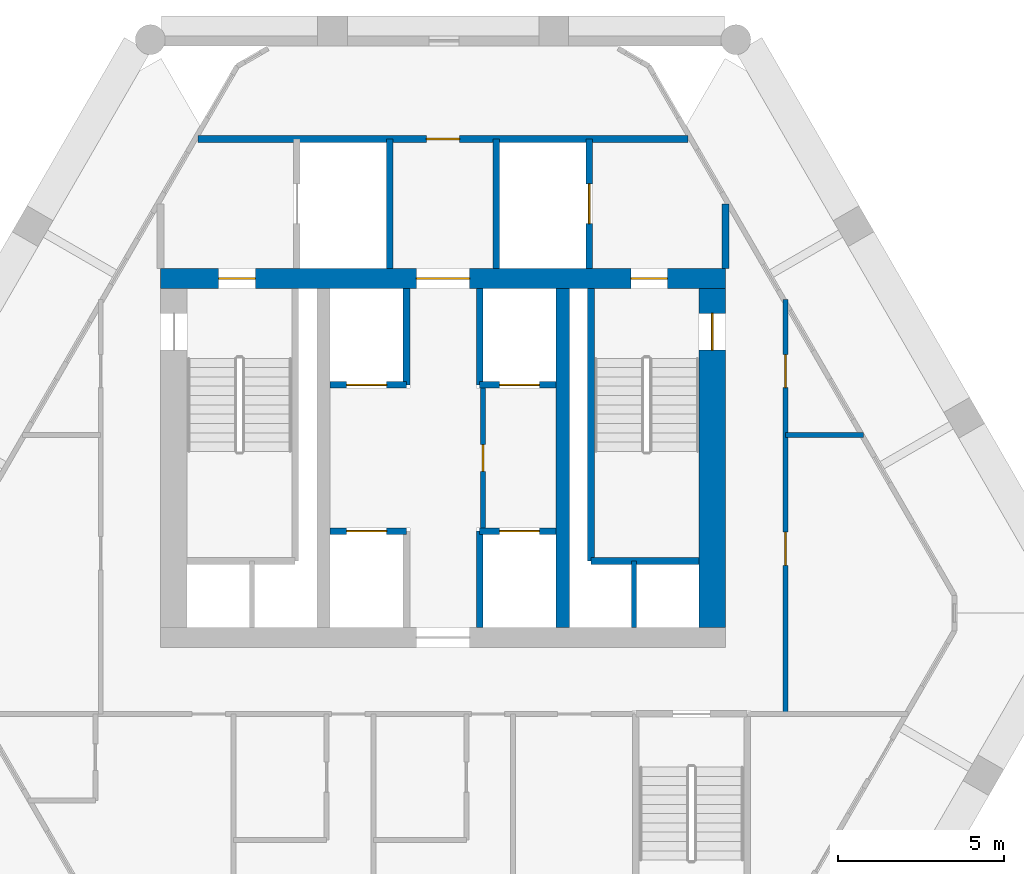
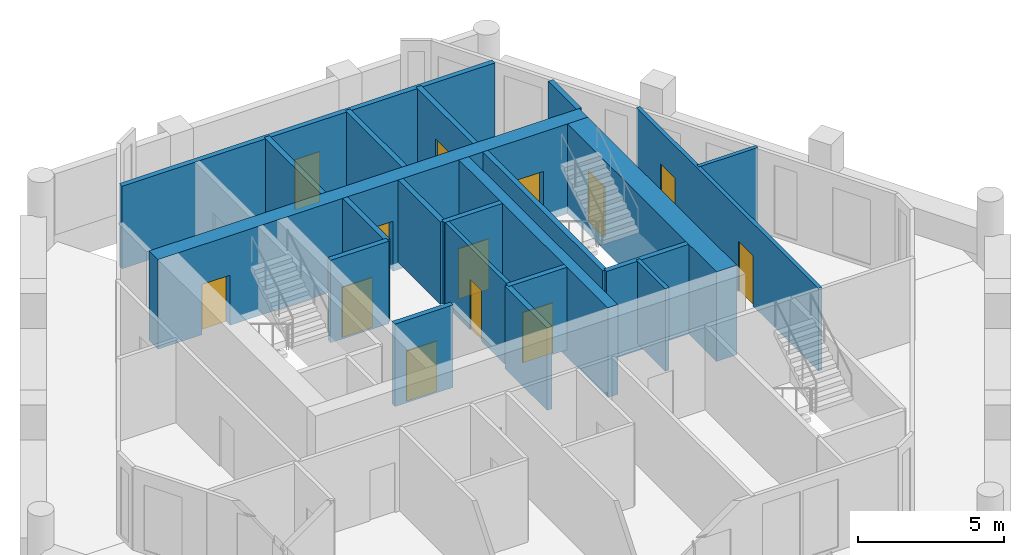
# One storey, part 4 of 6: 21 walls, 13 doors, 13 openings.
"""IFC4 building model written with IfcOpenShell, lengths in metres."""

import ifcopenshell
import ifcopenshell.guid

model = None  # the IFC model being written
_history = None  # IfcOwnerHistory: only IFC2X3 demands one
_inside = {}  # id of a spatial element -> (the spatial element, [elements in it])
_under = {}  # id of a project, library or spatial element -> (it, [spatial elements below it])
_declared = {}  # id of a project -> (the project, [libraries it declares])
_typed = {}  # id of a type object -> (the type object, [elements of that type])
_made_of = {}  # id of a material, layer set ... -> (it, [elements and type objects made of it])


def new_model(schema):
    """Start an empty IFC model of exactly this schema.

    Asked for "IFC4X3", IfcOpenShell would pick the latest addendum, in which some entities
    have other attributes; the version numbers below select the first issue.
    IFC2X3 requires an IfcOwnerHistory on every rooted entity: one is made here for all.
    """
    global model, _history
    if schema == "IFC4X3":
        model = ifcopenshell.file(schema_version=(4, 3, 0, 0))
    else:
        model = ifcopenshell.file(schema=schema)
    _inside.clear()
    _under.clear()
    _declared.clear()
    _typed.clear()
    _made_of.clear()
    _history = None
    if model.schema == "IFC2X3":
        org = make("IfcOrganization", Name="unknown")
        user = make(
            "IfcPersonAndOrganization",
            ThePerson=make("IfcPerson", FamilyName="unknown"),
            TheOrganization=org,
        )
        app = make(
            "IfcApplication",
            ApplicationDeveloper=org,
            Version="unknown",
            ApplicationFullName="unknown",
            ApplicationIdentifier="unknown",
        )
        _history = make(
            "IfcOwnerHistory",
            OwningUser=user,
            OwningApplication=app,
            ChangeAction="ADDED",
            CreationDate=0,
        )
    return model


def make(cls, **values):
    """One entity of the class cls with the attributes given. An attribute that is None is left unset."""
    return model.create_entity(
        cls, **{name: value for name, value in values.items() if value is not None}
    )


def rooted(cls, **values):
    """An entity with a GlobalId (a new one), such as an element, a storey or a relation."""
    return make(cls, GlobalId=ifcopenshell.guid.new(), OwnerHistory=_history, **values)


def si_unit(unit_type, name, prefix=None):
    """IfcSIUnit, for example si_unit("LENGTHUNIT", "METRE", prefix="MILLI")."""
    return make("IfcSIUnit", UnitType=unit_type, Prefix=prefix, Name=name)


def assignment(units):
    """IfcUnitAssignment: the units of a project."""
    return None if units is None else make("IfcUnitAssignment", Units=units)


def point(xyz):
    """IfcCartesianPoint."""
    return None if xyz is None else make("IfcCartesianPoint", Coordinates=xyz)


def direction(xyz):
    """IfcDirection."""
    return None if xyz is None else make("IfcDirection", DirectionRatios=xyz)


def frame(location, z_axis=None, x_axis=None):
    """IfcAxis2Placement3D, a coordinate frame: its origin and axes. An axis left out is left unset."""
    return make(
        "IfcAxis2Placement3D",
        Location=point(location),
        Axis=direction(z_axis),
        RefDirection=direction(x_axis),
    )


def frame_2d(location, x_axis=None):
    """IfcAxis2Placement2D, a coordinate frame in the plane: its origin and x axis."""
    return make(
        "IfcAxis2Placement2D", Location=point(location), RefDirection=direction(x_axis)
    )


def origin():
    """The frame at (0, 0, 0) with its axes left unset."""
    return frame((0.0, 0.0, 0.0))


def place(relative_to, where):
    """IfcLocalPlacement: puts the frame where relative to a parent placement (None: the world)."""
    return make(
        "IfcLocalPlacement", PlacementRelTo=relative_to, RelativePlacement=where
    )


def context(
    kind, dimensions, precision=None, world=None, true_north=None, identifier=None
):
    """IfcGeometricRepresentationContext, for example the 3D "Model" context."""
    return make(
        "IfcGeometricRepresentationContext",
        ContextIdentifier=identifier,
        ContextType=kind,
        CoordinateSpaceDimension=dimensions,
        Precision=precision,
        WorldCoordinateSystem=world,
        TrueNorth=true_north,
    )


def subcontext(parent, identifier, kind, view, scale=None):
    """IfcGeometricRepresentationSubContext, for example "Body" below "Model"."""
    return make(
        "IfcGeometricRepresentationSubContext",
        ContextIdentifier=identifier,
        ContextType=kind,
        ParentContext=parent,
        TargetScale=scale,
        TargetView=view,
    )


def project(units=None, contexts=None):
    """IfcProject with its units and contexts."""
    return rooted(
        "IfcProject",
        Name="project",
        RepresentationContexts=contexts,
        UnitsInContext=assignment(units),
    )


def spatial(cls, under=None, at=None, **own):
    """A site, building, storey or space (cls), placed at a placement, below another one or the project."""
    s = rooted(cls, ObjectPlacement=at, **own)
    if under is not None:
        _under.setdefault(under.id(), (under, []))[1].append(s)
    return s


def profile(cls, at=None, kind="AREA", **sizes):
    """A parametric profile (cls). Its sizes go by their IFC names, for example OverallWidth=200.0."""
    return make(cls, ProfileType=kind, Position=at, **sizes)


def rectangle(**sizes):
    """IfcRectangleProfileDef."""
    return profile("IfcRectangleProfileDef", **sizes)


def extrude(swept, where, along, depth):
    """IfcExtrudedAreaSolid: the profile swept, set in the frame where, extruded along a direction by depth."""
    return make(
        "IfcExtrudedAreaSolid",
        SweptArea=swept,
        Position=where,
        ExtrudedDirection=direction(along),
        Depth=depth,
    )


def shape(context_of_items, identifier, shape_type, items):
    """IfcShapeRepresentation: the items that make up one representation, for example the "Body"."""
    return make(
        "IfcShapeRepresentation",
        ContextOfItems=context_of_items,
        RepresentationIdentifier=identifier,
        RepresentationType=shape_type,
        Items=items,
    )


def material(Name=None, Category=None):
    """IfcMaterial."""
    return make("IfcMaterial", Name=Name, Category=Category)


def layer(
    of_material, thickness, ventilated=None, Name=None, Category=None, Priority=None
):
    """IfcMaterialLayer: one layer of a wall or slab, of a material (None: an air gap)."""
    return make(
        "IfcMaterialLayer",
        Material=of_material,
        LayerThickness=thickness,
        IsVentilated=ventilated,
        Name=Name,
        Category=Category,
        Priority=Priority,
    )


def layer_set(layers, Name=None):
    """IfcMaterialLayerSet."""
    return make("IfcMaterialLayerSet", MaterialLayers=layers, LayerSetName=Name)


def made_of(thing, what):
    """Note that an element or type object is made of a material, layer set ...; save() writes the relation."""
    if what is not None:
        _made_of.setdefault(what.id(), (what, []))[1].append(thing)
    return thing


def type_object(cls, material=None, **own):
    """A type object (cls), such as IfcWallType, which elements share."""
    return made_of(rooted(cls, **own), material)


def element(
    cls,
    number,
    at=None,
    inside=None,
    cuts=None,
    type_object=None,
    material=None,
    context=None,
    identifier="Body",
    shape_type=None,
    held_by="IfcProductDefinitionShape",
    body=None,
    shapes=None,
    **own,
):
    """One element of the class cls, such as IfcWall. Its Tag is "e" and its number.

    at: its placement. inside: the storey or other place that contains it. cuts: it is an
    opening in that element (IfcRelVoidsElement). A single representation is given by context,
    identifier, shape_type and body (its items); several are given by shapes. held_by: the class
    of the entity that holds the representations. save() writes the other relations.
    """
    e = rooted(cls, Tag="e%d" % number, ObjectPlacement=at, **own)
    if body is not None:
        shapes = [shape(context, identifier, shape_type, body)]
    if shapes is not None:
        e.Representation = make(held_by, Representations=shapes)
    if inside is not None:
        _inside.setdefault(inside.id(), (inside, []))[1].append(e)
    if cuts is not None:
        rooted(
            "IfcRelVoidsElement", RelatingBuildingElement=cuts, RelatedOpeningElement=e
        )
    if type_object is not None:
        _typed.setdefault(type_object.id(), (type_object, []))[1].append(e)
    return made_of(e, material)


def fill(opening, filler):
    """IfcRelFillsElement: the door or window that sits in an opening."""
    return rooted(
        "IfcRelFillsElement",
        RelatingOpeningElement=opening,
        RelatedBuildingElement=filler,
    )


def aggregate(whole, parts):
    """IfcRelAggregates: a whole, such as a stair, and the parts it consists of."""
    return rooted("IfcRelAggregates", RelatingObject=whole, RelatedObjects=parts)


def save(model, path):
    """Write the relations noted so far, then the file.

    IfcRelAggregates (storeys below a building ...), IfcRelContainedInSpatialStructure (elements
    in a storey), IfcRelDefinesByType, IfcRelAssociatesMaterial and IfcRelDeclares: one each for
    every whole, place, type object, material and project.
    """
    for whole, parts in _under.values():
        aggregate(whole, parts)
    for where, things in _inside.values():
        rooted(
            "IfcRelContainedInSpatialStructure",
            RelatedElements=things,
            RelatingStructure=where,
        )
    for kind, things in _typed.values():
        rooted("IfcRelDefinesByType", RelatedObjects=things, RelatingType=kind)
    for what, things in _made_of.values():
        rooted("IfcRelAssociatesMaterial", RelatedObjects=things, RelatingMaterial=what)
    for by, libraries in _declared.values():
        rooted("IfcRelDeclares", RelatingContext=by, RelatedDefinitions=libraries)
    model.write(path)


model = new_model("IFC4")

# Units and contexts
model_context = context("Model", 3, precision=1e-05, world=origin(), true_north=direction((0.0, 1.0)))
body_context = subcontext(model_context, "Body", "Model", "MODEL_VIEW")
ifc_project = project(units=[si_unit("LENGTHUNIT", "METRE"), si_unit("AREAUNIT", "SQUARE_METRE"), si_unit("VOLUMEUNIT", "CUBIC_METRE"), si_unit("PLANEANGLEUNIT", "RADIAN"), si_unit("MASSUNIT", "GRAM", prefix="KILO")], contexts=[model_context])

# Site, building, storey
site_placement = place(None, origin())
site = spatial("IfcSite", under=ifc_project, at=site_placement, CompositionType="ELEMENT")
building_placement = place(site_placement, origin())
building = spatial("IfcBuilding", under=site, at=building_placement, Name="Ostrander Bayou Hotel Tower", CompositionType="ELEMENT")
storey_placement = place(building_placement, frame((0.0, 0.0, 248.75)))
storey = spatial("IfcBuildingStorey", under=building, at=storey_placement, Name="L61", CompositionType="ELEMENT", Elevation=248.75)

# Wall, openings, doors
ifc_material_1 = material(Name="Concrete f'c 60 MPa", Category="concrete")
ifc_layer_1 = layer(ifc_material_1, 0.60009765625)
ifc_layer_set_1 = layer_set([ifc_layer_1], Name="CW10 core wall 600 mm f'c 60 MPa")
wall_type_1 = type_object("IfcWallType", Name="CW10 core wall 600 mm f'c 60 MPa", PredefinedType="SHEAR", material=ifc_layer_set_1)
wall_1_placement = place(storey_placement, frame((-8.5, 9.39990234375, -0.300048828125), z_axis=(0.0, 0.0, 1.0), x_axis=(1.0, 0.0, 0.0)))
wall_1 = element("IfcWall", 1, at=wall_1_placement, inside=storey, type_object=wall_type_1, Name="CW10 L61 N", PredefinedType="SHEAR", context=body_context, shape_type="SweptSolid", body=[
    extrude(rectangle(XDim=17.0, YDim=0.60009765625, at=frame_2d((8.5, 0.0))), origin(), (0.0, 0.0, 1.0), 3.75),
])
opening_1_placement = place(wall_1_placement, frame((7.699951171875, 0.0, 0.0)))
opening_1 = element("IfcOpeningElement", 2, at=opening_1_placement, cuts=wall_1, Name="Opening T60-006", PredefinedType="OPENING", context=body_context, shape_type="SweptSolid", body=[
    extrude(rectangle(XDim=1.60009765625, YDim=2.10009765625, at=frame_2d((0.800048828125, 1.050048828125))), frame((0.0, 0.300048828125, 0.0), z_axis=(0.0, -1.0, 0.0), x_axis=(1.0, 0.0, 0.0)), (0.0, 0.0, 1.0), 0.60009765625),
])
opening_2_placement = place(wall_1_placement, frame((1.75, 0.0, 0.0)))
opening_2 = element("IfcOpeningElement", 3, at=opening_2_placement, cuts=wall_1, Name="Opening T60-007", PredefinedType="OPENING", context=body_context, shape_type="SweptSolid", body=[
    extrude(rectangle(XDim=1.10009765625, YDim=2.10009765625, at=frame_2d((0.550048828125, 1.050048828125))), frame((0.0, 0.300048828125, 0.0), z_axis=(0.0, -1.0, 0.0), x_axis=(1.0, 0.0, 0.0)), (0.0, 0.0, 1.0), 0.60009765625),
])
opening_3_placement = place(wall_1_placement, frame((14.14990234375, 0.0, 0.0)))
opening_3 = element("IfcOpeningElement", 4, at=opening_3_placement, cuts=wall_1, Name="Opening T60-009", PredefinedType="OPENING", context=body_context, shape_type="SweptSolid", body=[
    extrude(rectangle(XDim=1.10009765625, YDim=2.10009765625, at=frame_2d((0.550048828125, 1.050048828125))), frame((0.0, 0.300048828125, 0.0), z_axis=(0.0, -1.0, 0.0), x_axis=(1.0, 0.0, 0.0)), (0.0, 0.0, 1.0), 0.60009765625),
])
ifc_material_2 = material(Name="Timber door leaf", Category="wood")
door_type_1 = type_object("IfcDoorType", Name="D13 double door 1600 x 2100 mm, 1 hour", OperationType="SINGLE_SWING_LEFT", PredefinedType="DOOR", material=ifc_material_2)
door_1_placement = place(opening_1_placement, origin())
door_1 = element("IfcDoor", 5, at=door_1_placement, inside=storey, type_object=door_type_1, Name="dr:L61:006", OperationType="DOUBLE_DOOR_SINGLE_SWING", OverallHeight=2.10009765625, OverallWidth=1.60009765625, PredefinedType="DOOR", context=body_context, shape_type="SweptSolid", body=[
    extrude(rectangle(XDim=1.60009765625, YDim=2.10009765625, at=frame_2d((0.800048828125, 1.050048828125))), frame((0.0, 0.02490234375, 0.0), z_axis=(0.0, -1.0, 0.0), x_axis=(1.0, 0.0, 0.0)), (0.0, 0.0, 1.0), 0.050048828125),
])
fill(opening_1, door_1)
ifc_material_3 = material(Name="Timber door leaf", Category="wood")
door_type_2 = type_object("IfcDoorType", Name="D5 stair door 1100 x 2100 mm, 90 minute", OperationType="SINGLE_SWING_LEFT", PredefinedType="DOOR", material=ifc_material_3)
door_2_placement = place(opening_2_placement, origin())
door_2 = element("IfcDoor", 6, at=door_2_placement, inside=storey, type_object=door_type_2, Name="dr:L61:007", OperationType="SINGLE_SWING_LEFT", OverallHeight=2.10009765625, OverallWidth=1.10009765625, PredefinedType="DOOR", context=body_context, shape_type="SweptSolid", body=[
    extrude(rectangle(XDim=1.10009765625, YDim=2.10009765625, at=frame_2d((0.550048828125, 1.050048828125))), frame((0.0, 0.02490234375, 0.0), z_axis=(0.0, -1.0, 0.0), x_axis=(1.0, 0.0, 0.0)), (0.0, 0.0, 1.0), 0.050048828125),
])
fill(opening_2, door_2)
door_3_placement = place(opening_3_placement, origin())
door_3 = element("IfcDoor", 7, at=door_3_placement, inside=storey, type_object=door_type_2, Name="dr:L61:009", OperationType="SINGLE_SWING_RIGHT", OverallHeight=2.10009765625, OverallWidth=1.10009765625, PredefinedType="DOOR", context=body_context, shape_type="SweptSolid", body=[
    extrude(rectangle(XDim=1.10009765625, YDim=2.10009765625, at=frame_2d((0.550048828125, 1.050048828125))), frame((0.0, 0.02490234375, 0.0), z_axis=(0.0, -1.0, 0.0), x_axis=(1.0, 0.0, 0.0)), (0.0, 0.0, 1.0), 0.050048828125),
])
fill(opening_3, door_3)

# Wall, opening, door
ifc_material_4 = material(Name="Concrete f'c 60 MPa", Category="concrete")
ifc_layer_2 = layer(ifc_material_4, 0.800048828125)
ifc_layer_set_2 = layer_set([ifc_layer_2], Name="CW11 core spine wall 800 mm f'c 60 MPa")
wall_type_2 = type_object("IfcWallType", Name="CW11 core spine wall 800 mm f'c 60 MPa", PredefinedType="SHEAR", material=ifc_layer_set_2)
wall_2_placement = place(storey_placement, frame((8.10009765625, -1.10009765625, -0.300048828125), z_axis=(0.0, 0.0, 1.0), x_axis=(0.0, 1.0, 0.0)))
wall_2 = element("IfcWall", 8, at=wall_2_placement, inside=storey, type_object=wall_type_2, Name="CW11 L61 E", PredefinedType="SHEAR", context=body_context, shape_type="SweptSolid", body=[
    extrude(rectangle(XDim=10.2001953125, YDim=0.800048828125, at=frame_2d((5.10009765625, 0.0))), origin(), (0.0, 0.0, 1.0), 3.75),
])
opening_4_placement = place(wall_2_placement, frame((8.35009765625, 0.0, 0.0)))
opening_4 = element("IfcOpeningElement", 9, at=opening_4_placement, cuts=wall_2, Name="Opening T60-010", PredefinedType="OPENING", context=body_context, shape_type="SweptSolid", body=[
    extrude(rectangle(XDim=1.10009765625, YDim=2.10009765625, at=frame_2d((0.550048828125, 1.050048828125))), frame((0.0, 0.39990234375, 0.0), z_axis=(0.0, -1.0, 0.0), x_axis=(1.0, 0.0, 0.0)), (0.0, 0.0, 1.0), 0.800048828125),
])
door_4_placement = place(opening_4_placement, origin())
door_4 = element("IfcDoor", 10, at=door_4_placement, inside=storey, type_object=door_type_2, Name="dr:L61:010", OperationType="SINGLE_SWING_LEFT", OverallHeight=2.10009765625, OverallWidth=1.10009765625, PredefinedType="DOOR", context=body_context, shape_type="SweptSolid", body=[
    extrude(rectangle(XDim=1.10009765625, YDim=2.10009765625, at=frame_2d((0.550048828125, 1.050048828125))), frame((0.0, 0.02490234375, 0.0), z_axis=(0.0, -1.0, 0.0), x_axis=(1.0, 0.0, 0.0)), (0.0, 0.0, 1.0), 0.050048828125),
])
fill(opening_4, door_4)

# Wall
ifc_material_5 = material(Name="Concrete f'c 60 MPa", Category="concrete")
ifc_layer_3 = layer(ifc_material_5, 0.39990234375)
ifc_layer_set_3 = layer_set([ifc_layer_3], Name="CW12 core bank wall 400 mm f'c 60 MPa")
wall_type_3 = type_object("IfcWallType", Name="CW12 core bank wall 400 mm f'c 60 MPa", PredefinedType="SHEAR", material=ifc_layer_set_3)
wall_3_placement = place(storey_placement, frame((3.60009765625, -1.10009765625, -0.300048828125), z_axis=(0.0, 0.0, 1.0), x_axis=(0.0, 1.0, 0.0)))
element("IfcWall", 11, at=wall_3_placement, inside=storey, type_object=wall_type_3, Name="CW12 L61 CE", PredefinedType="SHEAR", context=body_context, shape_type="SweptSolid", body=[
    extrude(rectangle(XDim=10.2001953125, YDim=0.39990234375, at=frame_2d((5.10009765625, 0.0))), origin(), (0.0, 0.0, 1.0), 3.75),
])

# Wall, opening, door
ifc_material_6 = material(Name="Masonry block", Category="masonry")
ifc_layer_4 = layer(ifc_material_6, 0.199951171875)
ifc_layer_set_4 = layer_set([ifc_layer_4], Name="PT5 stair enclosure wall 200 mm masonry, 2 hour")
wall_type_4 = type_object("IfcWallType", Name="PT5 stair enclosure wall 200 mm masonry, 2 hour", PredefinedType="PARTITIONING", material=ifc_layer_set_4)
wall_4_placement = place(storey_placement, frame((-7.372314453125, 13.60009765625, 0.0), z_axis=(0.0, 0.0, 1.0), x_axis=(1.0, 0.0, 0.0)))
wall_4 = element("IfcWall", 12, at=wall_4_placement, inside=storey, type_object=wall_type_4, Name="cs:L61:020", PredefinedType="PARTITIONING", context=body_context, shape_type="SweptSolid", body=[
    extrude(rectangle(XDim=14.74462890625, YDim=0.199951171875, at=frame_2d((7.372314453125, 0.0))), origin(), (0.0, 0.0, 1.0), 3.449951171875),
])
opening_5_placement = place(wall_4_placement, frame((6.872314453125, 0.0, 0.0)))
opening_5 = element("IfcOpeningElement", 13, at=opening_5_placement, cuts=wall_4, Name="Opening T60-014", PredefinedType="OPENING", context=body_context, shape_type="SweptSolid", body=[
    extrude(rectangle(XDim=1.0, YDim=2.10009765625, at=frame_2d((0.5, 1.050048828125))), frame((0.0, 0.10009765625, 0.0), z_axis=(0.0, -1.0, 0.0), x_axis=(1.0, 0.0, 0.0)), (0.0, 0.0, 1.0), 0.199951171875),
])
ifc_material_7 = material(Name="Timber door leaf", Category="wood")
door_type_3 = type_object("IfcDoorType", Name="D9 service door 1000 x 2100 mm, 30 minute", OperationType="SINGLE_SWING_LEFT", PredefinedType="DOOR", material=ifc_material_7)
door_5_placement = place(opening_5_placement, origin())
door_5 = element("IfcDoor", 14, at=door_5_placement, inside=storey, type_object=door_type_3, Name="dr:L61:014", OperationType="SINGLE_SWING_LEFT", OverallHeight=2.10009765625, OverallWidth=1.0, PredefinedType="DOOR", context=body_context, shape_type="SweptSolid", body=[
    extrude(rectangle(XDim=1.0, YDim=2.10009765625, at=frame_2d((0.5, 1.050048828125))), frame((0.0, 0.02490234375, 0.0), z_axis=(0.0, -1.0, 0.0), x_axis=(1.0, 0.0, 0.0)), (0.0, 0.0, 1.0), 0.050048828125),
])
fill(opening_5, door_5)

# Wall
wall_5_placement = place(storey_placement, frame((8.5, 9.699951171875, 0.0), z_axis=(0.0, 0.0, 1.0), x_axis=(0.0, 1.0, 0.0)))
element("IfcWall", 15, at=wall_5_placement, inside=storey, type_object=wall_type_4, Name="cs:L61:022", PredefinedType="PARTITIONING", context=body_context, shape_type="SweptSolid", body=[
    extrude(rectangle(XDim=1.946533203125, YDim=0.199951171875, at=frame_2d((0.97314453125, 0.0))), origin(), (0.0, 0.0, 1.0), 3.449951171875),
])

# Wall, opening, door
wall_6_placement = place(storey_placement, frame((4.39990234375, 9.699951171875, 0.0), z_axis=(0.0, 0.0, 1.0), x_axis=(0.0, 1.0, 0.0)))
wall_6 = element("IfcWall", 16, at=wall_6_placement, inside=storey, type_object=wall_type_4, Name="cs:L61:024", PredefinedType="PARTITIONING", context=body_context, shape_type="SweptSolid", body=[
    extrude(rectangle(XDim=3.900146484375, YDim=0.199951171875, at=frame_2d((1.9501953125, 0.0))), origin(), (0.0, 0.0, 1.0), 3.449951171875),
])
opening_6_placement = place(wall_6_placement, frame((1.35009765625, 0.0, 0.0)))
opening_6 = element("IfcOpeningElement", 17, at=opening_6_placement, cuts=wall_6, Name="Opening T60-013", PredefinedType="OPENING", context=body_context, shape_type="SweptSolid", body=[
    extrude(rectangle(XDim=1.199951171875, YDim=2.10009765625, at=frame_2d((0.60009765625, 1.050048828125))), frame((0.0, 0.10009765625, 0.0), z_axis=(0.0, -1.0, 0.0), x_axis=(1.0, 0.0, 0.0)), (0.0, 0.0, 1.0), 0.199951171875),
])
ifc_material_8 = material(Name="Stainless steel sliding door", Category="steel")
door_type_4 = type_object("IfcDoorType", Name="LD1 lift landing door 1200 x 2100 mm", OperationType="SINGLE_SWING_LEFT", PredefinedType="DOOR", material=ifc_material_8)
door_6_placement = place(opening_6_placement, origin())
door_6 = element("IfcDoor", 18, at=door_6_placement, inside=storey, type_object=door_type_4, Name="dr:L61:013", OperationType="SLIDING_TO_LEFT", OverallHeight=2.10009765625, OverallWidth=1.199951171875, PredefinedType="DOOR", context=body_context, shape_type="SweptSolid", body=[
    extrude(rectangle(XDim=1.199951171875, YDim=2.10009765625, at=frame_2d((0.60009765625, 1.050048828125))), frame((0.0, 0.02490234375, 0.0), z_axis=(0.0, -1.0, 0.0), x_axis=(1.0, 0.0, 0.0)), (0.0, 0.0, 1.0), 0.050048828125),
])
fill(opening_6, door_6)

ifc_material_9 = material(Name="Masonry block", Category="masonry")
ifc_layer_5 = layer(ifc_material_9, 0.199951171875)
ifc_layer_set_5 = layer_set([ifc_layer_5], Name="PT6 lift shaft wall 200 mm masonry, 2 hour")
wall_type_5 = type_object("IfcWallType", Name="PT6 lift shaft wall 200 mm masonry, 2 hour", PredefinedType="PARTITIONING", material=ifc_layer_set_5)
wall_7_placement = place(storey_placement, frame((-3.39990234375, 1.800048828125, 0.0), z_axis=(0.0, 0.0, 1.0), x_axis=(1.0, 0.0, 0.0)))
wall_7 = element("IfcWall", 19, at=wall_7_placement, inside=storey, type_object=wall_type_5, Name="cs:L61:001", PredefinedType="PARTITIONING", context=body_context, shape_type="SweptSolid", body=[
    extrude(rectangle(XDim=2.2998046875, YDim=0.199951171875, at=frame_2d((1.14990234375, 0.0))), origin(), (0.0, 0.0, 1.0), 3.449951171875),
])
opening_7_placement = place(wall_7_placement, frame((0.5, 0.0, 0.0)))
opening_7 = element("IfcOpeningElement", 20, at=opening_7_placement, cuts=wall_7, Name="Opening T60-001", PredefinedType="OPENING", context=body_context, shape_type="SweptSolid", body=[
    extrude(rectangle(XDim=1.199951171875, YDim=2.10009765625, at=frame_2d((0.60009765625, 1.050048828125))), frame((0.0, 0.10009765625, 0.0), z_axis=(0.0, -1.0, 0.0), x_axis=(1.0, 0.0, 0.0)), (0.0, 0.0, 1.0), 0.199951171875),
])
door_7_placement = place(opening_7_placement, origin())
door_7 = element("IfcDoor", 21, at=door_7_placement, inside=storey, type_object=door_type_4, Name="dr:L61:001", OperationType="SLIDING_TO_LEFT", OverallHeight=2.10009765625, OverallWidth=1.199951171875, PredefinedType="DOOR", context=body_context, shape_type="SweptSolid", body=[
    extrude(rectangle(XDim=1.199951171875, YDim=2.10009765625, at=frame_2d((0.60009765625, 1.050048828125))), frame((0.0, 0.02490234375, 0.0), z_axis=(0.0, -1.0, 0.0), x_axis=(1.0, 0.0, 0.0)), (0.0, 0.0, 1.0), 0.050048828125),
])
fill(opening_7, door_7)

wall_8_placement = place(storey_placement, frame((-3.39990234375, 6.199951171875, 0.0), z_axis=(0.0, 0.0, 1.0), x_axis=(1.0, 0.0, 0.0)))
wall_8 = element("IfcWall", 22, at=wall_8_placement, inside=storey, type_object=wall_type_5, Name="cs:L61:002", PredefinedType="PARTITIONING", context=body_context, shape_type="SweptSolid", body=[
    extrude(rectangle(XDim=2.2998046875, YDim=0.199951171875, at=frame_2d((1.14990234375, 0.0))), origin(), (0.0, 0.0, 1.0), 3.449951171875),
])
opening_8_placement = place(wall_8_placement, frame((0.5, 0.0, 0.0)))
opening_8 = element("IfcOpeningElement", 23, at=opening_8_placement, cuts=wall_8, Name="Opening T60-003", PredefinedType="OPENING", context=body_context, shape_type="SweptSolid", body=[
    extrude(rectangle(XDim=1.199951171875, YDim=2.10009765625, at=frame_2d((0.60009765625, 1.050048828125))), frame((0.0, 0.10009765625, 0.0), z_axis=(0.0, -1.0, 0.0), x_axis=(1.0, 0.0, 0.0)), (0.0, 0.0, 1.0), 0.199951171875),
])
door_8_placement = place(opening_8_placement, origin())
door_8 = element("IfcDoor", 24, at=door_8_placement, inside=storey, type_object=door_type_4, Name="dr:L61:003", OperationType="SLIDING_TO_LEFT", OverallHeight=2.10009765625, OverallWidth=1.199951171875, PredefinedType="DOOR", context=body_context, shape_type="SweptSolid", body=[
    extrude(rectangle(XDim=1.199951171875, YDim=2.10009765625, at=frame_2d((0.60009765625, 1.050048828125))), frame((0.0, 0.02490234375, 0.0), z_axis=(0.0, -1.0, 0.0), x_axis=(1.0, 0.0, 0.0)), (0.0, 0.0, 1.0), 0.050048828125),
])
fill(opening_8, door_8)

wall_9_placement = place(storey_placement, frame((1.10009765625, 1.800048828125, 0.0), z_axis=(0.0, 0.0, 1.0), x_axis=(1.0, 0.0, 0.0)))
wall_9 = element("IfcWall", 25, at=wall_9_placement, inside=storey, type_object=wall_type_5, Name="cs:L61:003", PredefinedType="PARTITIONING", context=body_context, shape_type="SweptSolid", body=[
    extrude(rectangle(XDim=2.2998046875, YDim=0.199951171875, at=frame_2d((1.14990234375, 0.0))), origin(), (0.0, 0.0, 1.0), 3.449951171875),
])
opening_9_placement = place(wall_9_placement, frame((0.60009765625, 0.0, 0.0)))
opening_9 = element("IfcOpeningElement", 26, at=opening_9_placement, cuts=wall_9, Name="Opening T60-002", PredefinedType="OPENING", context=body_context, shape_type="SweptSolid", body=[
    extrude(rectangle(XDim=1.199951171875, YDim=2.10009765625, at=frame_2d((0.60009765625, 1.050048828125))), frame((0.0, 0.10009765625, 0.0), z_axis=(0.0, -1.0, 0.0), x_axis=(1.0, 0.0, 0.0)), (0.0, 0.0, 1.0), 0.199951171875),
])
door_9_placement = place(opening_9_placement, origin())
door_9 = element("IfcDoor", 27, at=door_9_placement, inside=storey, type_object=door_type_4, Name="dr:L61:002", OperationType="SLIDING_TO_LEFT", OverallHeight=2.10009765625, OverallWidth=1.199951171875, PredefinedType="DOOR", context=body_context, shape_type="SweptSolid", body=[
    extrude(rectangle(XDim=1.199951171875, YDim=2.10009765625, at=frame_2d((0.60009765625, 1.050048828125))), frame((0.0, 0.02490234375, 0.0), z_axis=(0.0, -1.0, 0.0), x_axis=(1.0, 0.0, 0.0)), (0.0, 0.0, 1.0), 0.050048828125),
])
fill(opening_9, door_9)

wall_10_placement = place(storey_placement, frame((1.10009765625, 6.199951171875, 0.0), z_axis=(0.0, 0.0, 1.0), x_axis=(1.0, 0.0, 0.0)))
wall_10 = element("IfcWall", 28, at=wall_10_placement, inside=storey, type_object=wall_type_5, Name="cs:L61:004", PredefinedType="PARTITIONING", context=body_context, shape_type="SweptSolid", body=[
    extrude(rectangle(XDim=2.2998046875, YDim=0.199951171875, at=frame_2d((1.14990234375, 0.0))), origin(), (0.0, 0.0, 1.0), 3.449951171875),
])
opening_10_placement = place(wall_10_placement, frame((0.60009765625, 0.0, 0.0)))
opening_10 = element("IfcOpeningElement", 29, at=opening_10_placement, cuts=wall_10, Name="Opening T60-004", PredefinedType="OPENING", context=body_context, shape_type="SweptSolid", body=[
    extrude(rectangle(XDim=1.199951171875, YDim=2.10009765625, at=frame_2d((0.60009765625, 1.050048828125))), frame((0.0, 0.10009765625, 0.0), z_axis=(0.0, -1.0, 0.0), x_axis=(1.0, 0.0, 0.0)), (0.0, 0.0, 1.0), 0.199951171875),
])
door_10_placement = place(opening_10_placement, origin())
door_10 = element("IfcDoor", 30, at=door_10_placement, inside=storey, type_object=door_type_4, Name="dr:L61:004", OperationType="SLIDING_TO_LEFT", OverallHeight=2.10009765625, OverallWidth=1.199951171875, PredefinedType="DOOR", context=body_context, shape_type="SweptSolid", body=[
    extrude(rectangle(XDim=1.199951171875, YDim=2.10009765625, at=frame_2d((0.60009765625, 1.050048828125))), frame((0.0, 0.02490234375, 0.0), z_axis=(0.0, -1.0, 0.0), x_axis=(1.0, 0.0, 0.0)), (0.0, 0.0, 1.0), 0.050048828125),
])
fill(opening_10, door_10)

# Walls
for number, where, z_axis, x_axis, name in (
    (31, (1.10009765625, -1.10009765625, 0.0), (0.0, 0.0, 1.0), (0.0, 1.0, 0.0), "cs:L61:006"),
    (32, (-1.10009765625, 6.199951171875, 0.0), (0.0, 0.0, 1.0), (0.0, 1.0, 0.0), "cs:L61:007"),
    (33, (1.10009765625, 6.199951171875, 0.0), (0.0, 0.0, 1.0), (0.0, 1.0, 0.0), "cs:L61:008"),
):
    element("IfcWall", number, at=place(storey_placement, frame(where, z_axis=z_axis, x_axis=x_axis)), inside=storey, type_object=wall_type_5, Name=name, PredefinedType="PARTITIONING", context=body_context, shape_type="SweptSolid", body=[
        extrude(rectangle(XDim=2.900146484375, YDim=0.199951171875, at=frame_2d((1.4501953125, 0.0))), origin(), (0.0, 0.0, 1.0), 3.449951171875),
    ])
for number, where, z_axis, x_axis, name in (
    (34, (-1.60009765625, 9.699951171875, 0.0), (0.0, 0.0, 1.0), (0.0, 1.0, 0.0), "cs:L61:025"),
    (35, (1.60009765625, 9.699951171875, 0.0), (0.0, 0.0, 1.0), (0.0, 1.0, 0.0), "cs:L61:026"),
):
    element("IfcWall", number, at=place(storey_placement, frame(where, z_axis=z_axis, x_axis=x_axis)), inside=storey, type_object=wall_type_5, Name=name, PredefinedType="PARTITIONING", context=body_context, shape_type="SweptSolid", body=[
        extrude(rectangle(XDim=3.900146484375, YDim=0.199951171875, at=frame_2d((1.9501953125, 0.0))), origin(), (0.0, 0.0, 1.0), 3.449951171875),
    ])
ifc_material_10 = material(Name="Gypsum board partition", Category="finish")
ifc_layer_6 = layer(ifc_material_10, 0.14990234375)
ifc_layer_set_6 = layer_set([ifc_layer_6], Name="PT7 riser wall 150 mm, 2 hour")
wall_type_6 = type_object("IfcWallType", Name="PT7 riser wall 150 mm, 2 hour", PredefinedType="PARTITIONING", material=ifc_layer_set_6)
wall_11_placement = place(storey_placement, frame((5.75, -1.10009765625, 0.0), z_axis=(0.0, 0.0, 1.0), x_axis=(0.0, 1.0, 0.0)))
element("IfcWall", 36, at=wall_11_placement, inside=storey, type_object=wall_type_6, Name="cs:L61:014", PredefinedType="PARTITIONING", context=body_context, shape_type="SweptSolid", body=[
    extrude(rectangle(XDim=2.0, YDim=0.14990234375, at=frame_2d((1.0, 0.0))), origin(), (0.0, 0.0, 1.0), 3.449951171875),
])

# Wall, opening, door
wall_12_placement = place(storey_placement, frame((1.199951171875, 1.89990234375, 0.0), z_axis=(0.0, 0.0, 1.0), x_axis=(0.0, 1.0, 0.0)))
wall_12 = element("IfcWall", 37, at=wall_12_placement, inside=storey, type_object=wall_type_6, Name="cs:L61:027", PredefinedType="PARTITIONING", context=body_context, shape_type="SweptSolid", body=[
    extrude(rectangle(XDim=4.2001953125, YDim=0.14990234375, at=frame_2d((2.10009765625, 0.0))), origin(), (0.0, 0.0, 1.0), 3.449951171875),
])
opening_11_placement = place(wall_12_placement, frame((1.699951171875, 0.0, 0.0)))
opening_11 = element("IfcOpeningElement", 38, at=opening_11_placement, cuts=wall_12, Name="Opening T60-015", PredefinedType="OPENING", context=body_context, shape_type="SweptSolid", body=[
    extrude(rectangle(XDim=0.800048828125, YDim=2.10009765625, at=frame_2d((0.39990234375, 1.050048828125))), frame((0.0, 0.074951171875, 0.0), z_axis=(0.0, -1.0, 0.0), x_axis=(1.0, 0.0, 0.0)), (0.0, 0.0, 1.0), 0.14990234375),
])
ifc_material_11 = material(Name="Timber door leaf", Category="wood")
door_type_5 = type_object("IfcDoorType", Name="D6 riser door 800 x 2100 mm, 90 minute", OperationType="SINGLE_SWING_LEFT", PredefinedType="DOOR", material=ifc_material_11)
door_11_placement = place(opening_11_placement, origin())
door_11 = element("IfcDoor", 39, at=door_11_placement, inside=storey, type_object=door_type_5, Name="dr:L61:015", OperationType="SINGLE_SWING_RIGHT", OverallHeight=2.10009765625, OverallWidth=0.800048828125, PredefinedType="DOOR", context=body_context, shape_type="SweptSolid", body=[
    extrude(rectangle(XDim=0.800048828125, YDim=2.10009765625, at=frame_2d((0.39990234375, 1.050048828125))), frame((0.0, 0.02490234375, 0.0), z_axis=(0.0, -1.0, 0.0), x_axis=(1.0, 0.0, 0.0)), (0.0, 0.0, 1.0), 0.050048828125),
])
fill(opening_11, door_11)

# Wall
ifc_material_12 = material(Name="Gypsum board partition", Category="finish")
ifc_layer_7 = layer(ifc_material_12, 0.14990234375)
ifc_layer_set_7 = layer_set([ifc_layer_7], Name="PT8 service band wall 150 mm, 1 hour")
wall_type_7 = type_object("IfcWallType", Name="PT8 service band wall 150 mm, 1 hour", PredefinedType="PARTITIONING", material=ifc_layer_set_7)
wall_13_placement = place(storey_placement, frame((10.300048828125, 4.699951171875, 0.0), z_axis=(0.0, 0.0, 1.0), x_axis=(1.0, 0.0, 0.0)))
element("IfcWall", 40, at=wall_13_placement, inside=storey, type_object=wall_type_7, Name="gw:L61:007", PredefinedType="PARTITIONING", context=body_context, shape_type="SweptSolid", body=[
    extrude(rectangle(XDim=2.348876953125, YDim=0.14990234375, at=frame_2d((1.17431640625, 0.0))), origin(), (0.0, 0.0, 1.0), 3.449951171875),
])

# Wall, openings, doors
wall_14_placement = place(storey_placement, frame((10.300048828125, -3.699951171875, 0.0), z_axis=(0.0, 0.0, 1.0), x_axis=(0.0, 1.0, 0.0)))
wall_14 = element("IfcWall", 41, at=wall_14_placement, inside=storey, type_object=wall_type_7, Name="gw:L61:008", PredefinedType="PARTITIONING", context=body_context, shape_type="SweptSolid", body=[
    extrude(rectangle(XDim=12.468994140625, YDim=0.14990234375, at=frame_2d((6.234375, 0.0))), origin(), (0.0, 0.0, 1.0), 3.449951171875),
])
opening_12_placement = place(wall_14_placement, frame((4.470947265625, 0.0, 0.0)))
opening_12 = element("IfcOpeningElement", 42, at=opening_12_placement, cuts=wall_14, Name="Opening T60-409", PredefinedType="OPENING", context=body_context, shape_type="SweptSolid", body=[
    extrude(rectangle(XDim=1.0, YDim=2.10009765625, at=frame_2d((0.5, 1.050048828125))), frame((0.0, 0.074951171875, 0.0), z_axis=(0.0, -1.0, 0.0), x_axis=(1.0, 0.0, 0.0)), (0.0, 0.0, 1.0), 0.14990234375),
])
opening_13_placement = place(wall_14_placement, frame((9.81494140625, 0.0, 0.0)))
opening_13 = element("IfcOpeningElement", 43, at=opening_13_placement, cuts=wall_14, Name="Opening T60-410", PredefinedType="OPENING", context=body_context, shape_type="SweptSolid", body=[
    extrude(rectangle(XDim=1.0, YDim=2.10009765625, at=frame_2d((0.5, 1.050048828125))), frame((0.0, 0.074951171875, 0.0), z_axis=(0.0, -1.0, 0.0), x_axis=(1.0, 0.0, 0.0)), (0.0, 0.0, 1.0), 0.14990234375),
])
ifc_material_13 = material(Name="Timber door leaf", Category="wood")
door_type_6 = type_object("IfcDoorType", Name="D15 room door 1000 x 2100 mm", OperationType="SINGLE_SWING_LEFT", PredefinedType="DOOR", material=ifc_material_13)
door_12_placement = place(opening_12_placement, origin())
door_12 = element("IfcDoor", 44, at=door_12_placement, inside=storey, type_object=door_type_6, Name="dr:L61:409", OperationType="SINGLE_SWING_LEFT", OverallHeight=2.10009765625, OverallWidth=1.0, PredefinedType="DOOR", context=body_context, shape_type="SweptSolid", body=[
    extrude(rectangle(XDim=1.0, YDim=2.10009765625, at=frame_2d((0.5, 1.050048828125))), frame((0.0, 0.02490234375, 0.0), z_axis=(0.0, -1.0, 0.0), x_axis=(1.0, 0.0, 0.0)), (0.0, 0.0, 1.0), 0.050048828125),
])
fill(opening_12, door_12)
door_13_placement = place(opening_13_placement, origin())
door_13 = element("IfcDoor", 45, at=door_13_placement, inside=storey, type_object=door_type_3, Name="dr:L61:410", OperationType="SINGLE_SWING_LEFT", OverallHeight=2.10009765625, OverallWidth=1.0, PredefinedType="DOOR", context=body_context, shape_type="SweptSolid", body=[
    extrude(rectangle(XDim=1.0, YDim=2.10009765625, at=frame_2d((0.5, 1.050048828125))), frame((0.0, 0.02490234375, 0.0), z_axis=(0.0, -1.0, 0.0), x_axis=(1.0, 0.0, 0.0)), (0.0, 0.0, 1.0), 0.050048828125),
])
fill(opening_13, door_13)

# Walls
ifc_material_14 = material(Name="Concrete f'c 45 MPa", Category="concrete")
ifc_layer_8 = layer(ifc_material_14, 0.199951171875)
ifc_layer_set_8 = layer_set([ifc_layer_8], Name="SW5 stair enclosure wall 200 mm f'c 45 MPa")
wall_type_8 = type_object("IfcWallType", Name="SW5 stair enclosure wall 200 mm f'c 45 MPa", PredefinedType="SOLIDWALL", material=ifc_layer_set_8)
wall_15_placement = place(storey_placement, frame((4.449951171875, 0.89990234375, -0.300048828125), z_axis=(0.0, 0.0, 1.0), x_axis=(0.0, 1.0, 0.0)))
element("IfcWall", 46, at=wall_15_placement, inside=storey, type_object=wall_type_8, Name="cs:L61:012", PredefinedType="SOLIDWALL", context=body_context, shape_type="SweptSolid", body=[
    extrude(rectangle(XDim=8.2001953125, YDim=0.199951171875, at=frame_2d((4.10009765625, 0.0))), origin(), (0.0, 0.0, 1.0), 3.75),
])
wall_16_placement = place(storey_placement, frame((4.449951171875, 0.89990234375, -0.300048828125), z_axis=(0.0, 0.0, 1.0), x_axis=(1.0, 0.0, 0.0)))
element("IfcWall", 47, at=wall_16_placement, inside=storey, type_object=wall_type_8, Name="cs:L61:013", PredefinedType="SOLIDWALL", context=body_context, shape_type="SweptSolid", body=[
    extrude(rectangle(XDim=3.25, YDim=0.199951171875, at=frame_2d((1.625, 0.0))), origin(), (0.0, 0.0, 1.0), 3.75),
])

save(model, "model.ifc")
